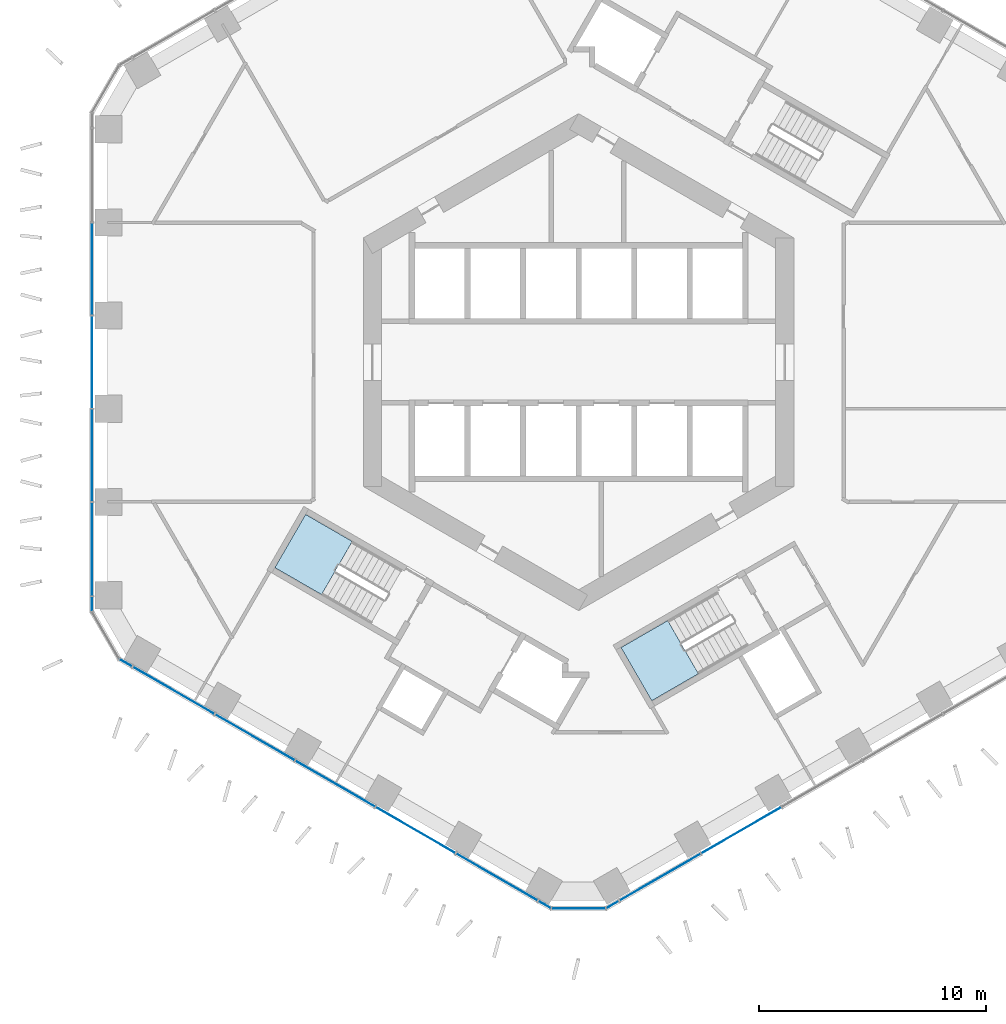
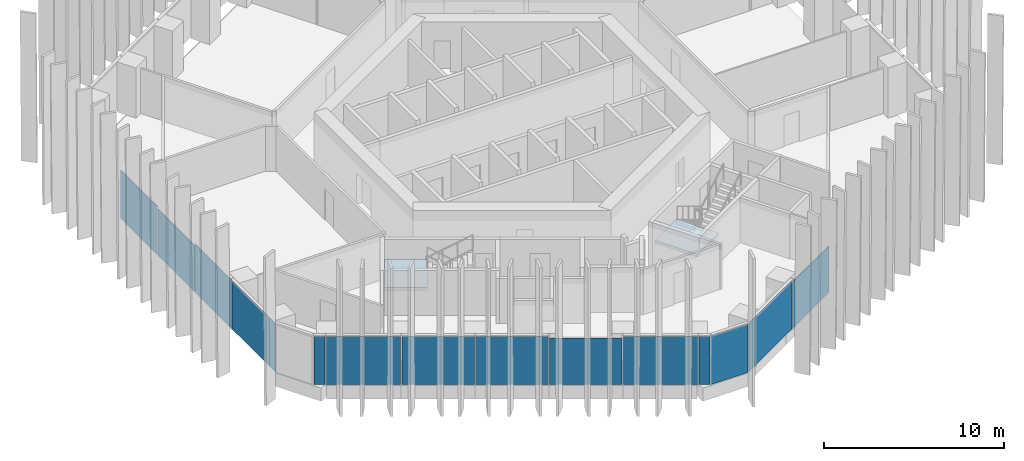
# One storey, part 8 of 18: 16 plates, 2 slabs, 7 elements without a shape of their own.
"""IFC4 building model written with IfcOpenShell, lengths in metres."""

import ifcopenshell
import ifcopenshell.guid

model = None  # the IFC model being written
_history = None  # IfcOwnerHistory: only IFC2X3 demands one
_inside = {}  # id of a spatial element -> (the spatial element, [elements in it])
_under = {}  # id of a project, library or spatial element -> (it, [spatial elements below it])
_declared = {}  # id of a project -> (the project, [libraries it declares])
_typed = {}  # id of a type object -> (the type object, [elements of that type])
_made_of = {}  # id of a material, layer set ... -> (it, [elements and type objects made of it])


def new_model(schema):
    """Start an empty IFC model of exactly this schema.

    Asked for "IFC4X3", IfcOpenShell would pick the latest addendum, in which some entities
    have other attributes; the version numbers below select the first issue.
    IFC2X3 requires an IfcOwnerHistory on every rooted entity: one is made here for all.
    """
    global model, _history
    if schema == "IFC4X3":
        model = ifcopenshell.file(schema_version=(4, 3, 0, 0))
    else:
        model = ifcopenshell.file(schema=schema)
    _inside.clear()
    _under.clear()
    _declared.clear()
    _typed.clear()
    _made_of.clear()
    _history = None
    if model.schema == "IFC2X3":
        org = make("IfcOrganization", Name="unknown")
        user = make(
            "IfcPersonAndOrganization",
            ThePerson=make("IfcPerson", FamilyName="unknown"),
            TheOrganization=org,
        )
        app = make(
            "IfcApplication",
            ApplicationDeveloper=org,
            Version="unknown",
            ApplicationFullName="unknown",
            ApplicationIdentifier="unknown",
        )
        _history = make(
            "IfcOwnerHistory",
            OwningUser=user,
            OwningApplication=app,
            ChangeAction="ADDED",
            CreationDate=0,
        )
    return model


def make(cls, **values):
    """One entity of the class cls with the attributes given. An attribute that is None is left unset."""
    return model.create_entity(
        cls, **{name: value for name, value in values.items() if value is not None}
    )


def rooted(cls, **values):
    """An entity with a GlobalId (a new one), such as an element, a storey or a relation."""
    return make(cls, GlobalId=ifcopenshell.guid.new(), OwnerHistory=_history, **values)


def si_unit(unit_type, name, prefix=None):
    """IfcSIUnit, for example si_unit("LENGTHUNIT", "METRE", prefix="MILLI")."""
    return make("IfcSIUnit", UnitType=unit_type, Prefix=prefix, Name=name)


def assignment(units):
    """IfcUnitAssignment: the units of a project."""
    return None if units is None else make("IfcUnitAssignment", Units=units)


def point(xyz):
    """IfcCartesianPoint."""
    return None if xyz is None else make("IfcCartesianPoint", Coordinates=xyz)


def direction(xyz):
    """IfcDirection."""
    return None if xyz is None else make("IfcDirection", DirectionRatios=xyz)


def frame(location, z_axis=None, x_axis=None):
    """IfcAxis2Placement3D, a coordinate frame: its origin and axes. An axis left out is left unset."""
    return make(
        "IfcAxis2Placement3D",
        Location=point(location),
        Axis=direction(z_axis),
        RefDirection=direction(x_axis),
    )


def frame_2d(location, x_axis=None):
    """IfcAxis2Placement2D, a coordinate frame in the plane: its origin and x axis."""
    return make(
        "IfcAxis2Placement2D", Location=point(location), RefDirection=direction(x_axis)
    )


def origin():
    """The frame at (0, 0, 0) with its axes left unset."""
    return frame((0.0, 0.0, 0.0))


def origin_2d():
    """The frame at (0, 0) in the plane with its x axis left unset."""
    return frame_2d((0.0, 0.0))


def place(relative_to, where):
    """IfcLocalPlacement: puts the frame where relative to a parent placement (None: the world)."""
    return make(
        "IfcLocalPlacement", PlacementRelTo=relative_to, RelativePlacement=where
    )


def context(
    kind, dimensions, precision=None, world=None, true_north=None, identifier=None
):
    """IfcGeometricRepresentationContext, for example the 3D "Model" context."""
    return make(
        "IfcGeometricRepresentationContext",
        ContextIdentifier=identifier,
        ContextType=kind,
        CoordinateSpaceDimension=dimensions,
        Precision=precision,
        WorldCoordinateSystem=world,
        TrueNorth=true_north,
    )


def subcontext(parent, identifier, kind, view, scale=None):
    """IfcGeometricRepresentationSubContext, for example "Body" below "Model"."""
    return make(
        "IfcGeometricRepresentationSubContext",
        ContextIdentifier=identifier,
        ContextType=kind,
        ParentContext=parent,
        TargetScale=scale,
        TargetView=view,
    )


def project(units=None, contexts=None):
    """IfcProject with its units and contexts."""
    return rooted(
        "IfcProject",
        Name="project",
        RepresentationContexts=contexts,
        UnitsInContext=assignment(units),
    )


def spatial(cls, under=None, at=None, **own):
    """A site, building, storey or space (cls), placed at a placement, below another one or the project."""
    s = rooted(cls, ObjectPlacement=at, **own)
    if under is not None:
        _under.setdefault(under.id(), (under, []))[1].append(s)
    return s


def polyline(points):
    """IfcPolyline through the points."""
    return make("IfcPolyline", Points=[point(p) for p in points])


def profile(cls, at=None, kind="AREA", **sizes):
    """A parametric profile (cls). Its sizes go by their IFC names, for example OverallWidth=200.0."""
    return make(cls, ProfileType=kind, Position=at, **sizes)


def rectangle(**sizes):
    """IfcRectangleProfileDef."""
    return profile("IfcRectangleProfileDef", **sizes)


def outline(outer, holes=None, kind="AREA"):
    """IfcArbitraryClosedProfileDef: a profile drawn as a closed curve; with holes, ...WithVoids."""
    if holes is None:
        return make("IfcArbitraryClosedProfileDef", ProfileType=kind, OuterCurve=outer)
    return make(
        "IfcArbitraryProfileDefWithVoids",
        ProfileType=kind,
        OuterCurve=outer,
        InnerCurves=holes,
    )


def extrude(swept, where, along, depth):
    """IfcExtrudedAreaSolid: the profile swept, set in the frame where, extruded along a direction by depth."""
    return make(
        "IfcExtrudedAreaSolid",
        SweptArea=swept,
        Position=where,
        ExtrudedDirection=direction(along),
        Depth=depth,
    )


def shape(context_of_items, identifier, shape_type, items):
    """IfcShapeRepresentation: the items that make up one representation, for example the "Body"."""
    return make(
        "IfcShapeRepresentation",
        ContextOfItems=context_of_items,
        RepresentationIdentifier=identifier,
        RepresentationType=shape_type,
        Items=items,
    )


def material(Name=None, Category=None):
    """IfcMaterial."""
    return make("IfcMaterial", Name=Name, Category=Category)


def layer(
    of_material, thickness, ventilated=None, Name=None, Category=None, Priority=None
):
    """IfcMaterialLayer: one layer of a wall or slab, of a material (None: an air gap)."""
    return make(
        "IfcMaterialLayer",
        Material=of_material,
        LayerThickness=thickness,
        IsVentilated=ventilated,
        Name=Name,
        Category=Category,
        Priority=Priority,
    )


def layer_set(layers, Name=None):
    """IfcMaterialLayerSet."""
    return make("IfcMaterialLayerSet", MaterialLayers=layers, LayerSetName=Name)


def made_of(thing, what):
    """Note that an element or type object is made of a material, layer set ...; save() writes the relation."""
    if what is not None:
        _made_of.setdefault(what.id(), (what, []))[1].append(thing)
    return thing


def type_object(cls, material=None, **own):
    """A type object (cls), such as IfcWallType, which elements share."""
    return made_of(rooted(cls, **own), material)


def element(
    cls,
    number,
    at=None,
    inside=None,
    cuts=None,
    type_object=None,
    material=None,
    context=None,
    identifier="Body",
    shape_type=None,
    held_by="IfcProductDefinitionShape",
    body=None,
    shapes=None,
    **own,
):
    """One element of the class cls, such as IfcWall. Its Tag is "e" and its number.

    at: its placement. inside: the storey or other place that contains it. cuts: it is an
    opening in that element (IfcRelVoidsElement). A single representation is given by context,
    identifier, shape_type and body (its items); several are given by shapes. held_by: the class
    of the entity that holds the representations. save() writes the other relations.
    """
    e = rooted(cls, Tag="e%d" % number, ObjectPlacement=at, **own)
    if body is not None:
        shapes = [shape(context, identifier, shape_type, body)]
    if shapes is not None:
        e.Representation = make(held_by, Representations=shapes)
    if inside is not None:
        _inside.setdefault(inside.id(), (inside, []))[1].append(e)
    if cuts is not None:
        rooted(
            "IfcRelVoidsElement", RelatingBuildingElement=cuts, RelatedOpeningElement=e
        )
    if type_object is not None:
        _typed.setdefault(type_object.id(), (type_object, []))[1].append(e)
    return made_of(e, material)


def aggregate(whole, parts):
    """IfcRelAggregates: a whole, such as a stair, and the parts it consists of."""
    return rooted("IfcRelAggregates", RelatingObject=whole, RelatedObjects=parts)


def save(model, path):
    """Write the relations noted so far, then the file.

    IfcRelAggregates (storeys below a building ...), IfcRelContainedInSpatialStructure (elements
    in a storey), IfcRelDefinesByType, IfcRelAssociatesMaterial and IfcRelDeclares: one each for
    every whole, place, type object, material and project.
    """
    for whole, parts in _under.values():
        aggregate(whole, parts)
    for where, things in _inside.values():
        rooted(
            "IfcRelContainedInSpatialStructure",
            RelatedElements=things,
            RelatingStructure=where,
        )
    for kind, things in _typed.values():
        rooted("IfcRelDefinesByType", RelatedObjects=things, RelatingType=kind)
    for what, things in _made_of.values():
        rooted("IfcRelAssociatesMaterial", RelatedObjects=things, RelatingMaterial=what)
    for by, libraries in _declared.values():
        rooted("IfcRelDeclares", RelatingContext=by, RelatedDefinitions=libraries)
    model.write(path)


model = new_model("IFC4")

# Units and contexts
model_context = context("Model", 3, precision=1e-05, world=origin(), true_north=direction((0.0, 1.0)))
body_context = subcontext(model_context, "Body", "Model", "MODEL_VIEW")
ifc_project = project(units=[si_unit("LENGTHUNIT", "METRE"), si_unit("AREAUNIT", "SQUARE_METRE"), si_unit("VOLUMEUNIT", "CUBIC_METRE"), si_unit("PLANEANGLEUNIT", "RADIAN"), si_unit("MASSUNIT", "GRAM", prefix="KILO")], contexts=[model_context])

# Site, building, storey
site_placement = place(None, origin())
site = spatial("IfcSite", under=ifc_project, at=site_placement, CompositionType="ELEMENT")
building_placement = place(site_placement, origin())
building = spatial("IfcBuilding", under=site, at=building_placement, Name="Ayvan Gate Tower", CompositionType="ELEMENT")
storey_placement = place(building_placement, frame((0.0, 0.0, 25.5)))
storey = spatial("IfcBuildingStorey", under=building, at=storey_placement, Name="L05", CompositionType="ELEMENT", Elevation=25.5)

# Stair, slab
ifc_material_1 = material(Name="Concrete C40/50", Category="concrete")
stair_type = type_object("IfcStairType", Name="ST-EXIT", PredefinedType="HALF_TURN_STAIR", material=ifc_material_1)
stair_1_placement = place(storey_placement, origin())
stair_1 = element("IfcStair", 1, at=stair_1_placement, inside=storey, type_object=stair_type, Name="L05 Exit Stair S2", PredefinedType="HALF_TURN_STAIR")
ifc_layer_1 = layer(ifc_material_1, 0.199951171875)
ifc_layer_set_1 = layer_set([ifc_layer_1], Name="Concrete C40/50")
slab_type = type_object("IfcSlabType", Name="SL-LANDING-200", PredefinedType="LANDING", material=ifc_layer_set_1)
slab_1_placement = place(storey_placement, frame((0.0, 0.0, 1.5)))
slab_1 = element("IfcSlab", 2, at=slab_1_placement, type_object=slab_type, Name="STS2 landing 1", PredefinedType="LANDING", context=body_context, shape_type="SweptSolid", body=[
    extrude(outline(polyline([(-9.988525390625, -7.91064453125), (-12.049560546875, -6.720458984375), (-13.404541015625, -9.0673828125), (-11.343505859375, -10.257568359375), (-9.988525390625, -7.91064453125)])), origin(), (0.0, 0.0, 1.0), 0.199951171875),
])
aggregate(stair_1, [slab_1])

stair_2_placement = place(storey_placement, origin())
stair_2 = element("IfcStair", 3, at=stair_2_placement, inside=storey, type_object=stair_type, Name="L05 Exit Stair S3", PredefinedType="HALF_TURN_STAIR")
slab_2_placement = place(storey_placement, frame((0.0, 0.0, 1.5)))
slab_2 = element("IfcSlab", 4, at=slab_2_placement, type_object=slab_type, Name="STS3 landing 1", PredefinedType="LANDING", context=body_context, shape_type="SweptSolid", body=[
    extrude(outline(polyline([(3.93505859375, -11.405517578125), (1.873779296875, -12.595458984375), (3.228759765625, -14.9423828125), (5.2900390625, -13.75244140625), (3.93505859375, -11.405517578125)])), origin(), (0.0, 0.0, 1.0), 0.199951171875),
])
aggregate(stair_2, [slab_2])

# Curtain wall, plates
ifc_material_2 = material(Name="Bronze anodised aluminium", Category="aluminium")
ifc_layer_2 = layer(ifc_material_2, 0.199951171875)
ifc_layer_set_2 = layer_set([ifc_layer_2], Name="Bronze anodised aluminium")
curtain_wall_type_1 = type_object("IfcCurtainWallType", Name="Stick curtain wall CW-1", PredefinedType="NOTDEFINED", material=ifc_layer_set_2)
curtain_wall_1_placement = place(storey_placement, origin())
curtain_wall_1 = element("IfcCurtainWall", 5, at=curtain_wall_1_placement, inside=storey, type_object=curtain_wall_type_1, Name="Stick curtain wall CW-1 L05", PredefinedType="NOTDEFINED")
ifc_material_3 = material(Name="Clear low-iron laminated glass", Category="glass")
ifc_layer_3 = layer(ifc_material_3, 0.028076171875)
ifc_layer_set_3 = layer_set([ifc_layer_3], Name="Clear low-iron laminated glass")
plate_type_1 = type_object("IfcPlateType", Name="Stick curtain wall CW-1 glass panel", PredefinedType="CURTAIN_PANEL", material=ifc_layer_set_3)
plate_1_placement = place(storey_placement, frame((-21.484619140625, 4.114013671875, 0.0), z_axis=(0.0, 0.0, 1.0), x_axis=(0.0, -1.0, 0.0)))
plate_1 = element("IfcPlate", 6, at=plate_1_placement, type_object=plate_type_1, Name="CW-1 glass panel 2", PredefinedType="CURTAIN_PANEL", context=body_context, shape_type="SweptSolid", body=[
    extrude(rectangle(XDim=4.053955078125, YDim=0.028076171875, at=origin_2d()), origin(), (0.0, 0.0, 1.0), 3.280029296875),
])
plate_2_placement = place(storey_placement, frame((-21.484619140625, 0.0, 0.0), z_axis=(0.0, 0.0, 1.0), x_axis=(0.0, -1.0, 0.0)))
plate_2 = element("IfcPlate", 7, at=plate_2_placement, type_object=plate_type_1, Name="CW-1 glass panel 3", PredefinedType="CURTAIN_PANEL", context=body_context, shape_type="SweptSolid", body=[
    extrude(rectangle(XDim=4.053955078125, YDim=0.028076171875, at=origin_2d()), origin(), (0.0, 0.0, 1.0), 3.14990234375),
])
plate_3_placement = place(storey_placement, frame((-21.484619140625, -4.114013671875, 0.0), z_axis=(0.0, 0.0, 1.0), x_axis=(0.0, -1.0, 0.0)))
plate_3 = element("IfcPlate", 8, at=plate_3_placement, type_object=plate_type_1, Name="CW-1 glass panel 4", PredefinedType="CURTAIN_PANEL", context=body_context, shape_type="SweptSolid", body=[
    extrude(rectangle(XDim=4.053955078125, YDim=0.028076171875, at=origin_2d()), origin(), (0.0, 0.0, 1.0), 3.280029296875),
])
plate_4_placement = place(storey_placement, frame((-21.484619140625, -8.265380859375, 0.0), z_axis=(0.0, 0.0, 1.0), x_axis=(0.0, -1.0, 0.0)))
plate_4 = element("IfcPlate", 9, at=plate_4_placement, type_object=plate_type_1, Name="CW-1 glass panel 5", PredefinedType="CURTAIN_PANEL", context=body_context, shape_type="SweptSolid", body=[
    extrude(rectangle(XDim=4.129150390625, YDim=0.028076171875, at=origin_2d()), origin(), (0.0, 0.0, 1.0), 3.280029296875),
])
aggregate(curtain_wall_1, [plate_1, plate_2, plate_3, plate_4])

curtain_wall_2_placement = place(storey_placement, origin())
curtain_wall_2 = element("IfcCurtainWall", 10, at=curtain_wall_2_placement, inside=storey, type_object=curtain_wall_type_1, Name="Stick curtain wall CW-1 L05", PredefinedType="NOTDEFINED")
plate_5_placement = place(storey_placement, frame((-17.88720703125, -14.481201171875, 0.0), z_axis=(0.0, 0.0, 1.0), x_axis=(0.866025403784, -0.5, 0.0)))
plate_5 = element("IfcPlate", 11, at=plate_5_placement, type_object=plate_type_1, Name="CW-1 glass panel 1", PredefinedType="CURTAIN_PANEL", context=body_context, shape_type="SweptSolid", body=[
    extrude(rectangle(XDim=4.159912109375, YDim=0.028076171875, at=origin_2d()), origin(), (0.0, 0.0, 1.0), 3.280029296875),
])
plate_6_placement = place(storey_placement, frame((-14.287353515625, -16.559326171875, 0.0), z_axis=(0.0, 0.0, 1.0), x_axis=(0.866025403784, -0.5, 0.0)))
plate_6 = element("IfcPlate", 12, at=plate_6_placement, type_object=plate_type_1, Name="CW-1 glass panel 2", PredefinedType="CURTAIN_PANEL", context=body_context, shape_type="SweptSolid", body=[
    extrude(rectangle(XDim=4.032958984375, YDim=0.028076171875, at=origin_2d()), origin(), (0.0, 0.0, 1.0), 3.280029296875),
])
plate_7_placement = place(storey_placement, frame((-10.742431640625, -18.606201171875, 0.0), z_axis=(0.0, 0.0, 1.0), x_axis=(0.866025403784, -0.5, 0.0)))
plate_7 = element("IfcPlate", 13, at=plate_7_placement, type_object=plate_type_1, Name="CW-1 glass panel 3", PredefinedType="CURTAIN_PANEL", context=body_context, shape_type="SweptSolid", body=[
    extrude(rectangle(XDim=4.033935546875, YDim=0.028076171875, at=origin_2d()), origin(), (0.0, 0.0, 1.0), 3.280029296875),
])
plate_8_placement = place(storey_placement, frame((-7.197265625, -20.65283203125, 0.0), z_axis=(0.0, 0.0, 1.0), x_axis=(0.866025403784, -0.5, 0.0)))
plate_8 = element("IfcPlate", 14, at=plate_8_placement, type_object=plate_type_1, Name="CW-1 glass panel 4", PredefinedType="CURTAIN_PANEL", context=body_context, shape_type="SweptSolid", body=[
    extrude(rectangle(XDim=4.032958984375, YDim=0.028076171875, at=origin_2d()), origin(), (0.0, 0.0, 1.0), 3.14990234375),
])
plate_9_placement = place(storey_placement, frame((-3.59765625, -22.731201171875, 0.0), z_axis=(0.0, 0.0, 1.0), x_axis=(0.866025403784, -0.5, 0.0)))
plate_9 = element("IfcPlate", 15, at=plate_9_placement, type_object=plate_type_1, Name="CW-1 glass panel 5", PredefinedType="CURTAIN_PANEL", context=body_context, shape_type="SweptSolid", body=[
    extrude(rectangle(XDim=4.16015625, YDim=0.028076171875, at=origin_2d()), origin(), (0.0, 0.0, 1.0), 3.280029296875),
])
aggregate(curtain_wall_2, [plate_5, plate_6, plate_7, plate_8, plate_9])

curtain_wall_3_placement = place(storey_placement, origin())
curtain_wall_3 = element("IfcCurtainWall", 16, at=curtain_wall_3_placement, inside=storey, type_object=curtain_wall_type_1, Name="Stick curtain wall CW-1 L05", PredefinedType="NOTDEFINED")
plate_10_placement = place(storey_placement, frame((3.583984375, -22.739013671875, 0.0), z_axis=(0.0, 0.0, 1.0), x_axis=(0.866025403784, 0.5, 0.0)))
plate_10 = element("IfcPlate", 17, at=plate_10_placement, type_object=plate_type_1, Name="CW-1 glass panel 1", PredefinedType="CURTAIN_PANEL", context=body_context, shape_type="SweptSolid", body=[
    extrude(rectangle(XDim=4.12890625, YDim=0.028076171875, at=origin_2d()), origin(), (0.0, 0.0, 1.0), 3.280029296875),
])
plate_11_placement = place(storey_placement, frame((7.179443359375, -20.663330078125, 0.0), z_axis=(0.0, 0.0, 1.0), x_axis=(0.866025403784, 0.5, 0.0)))
plate_11 = element("IfcPlate", 18, at=plate_11_placement, type_object=plate_type_1, Name="CW-1 glass panel 2", PredefinedType="CURTAIN_PANEL", context=body_context, shape_type="SweptSolid", body=[
    extrude(rectangle(XDim=4.053955078125, YDim=0.028076171875, at=origin_2d()), origin(), (0.0, 0.0, 1.0), 3.14990234375),
])
aggregate(curtain_wall_3, [plate_10, plate_11])

ifc_layer_4 = layer(ifc_material_2, 0.199951171875)
ifc_layer_set_4 = layer_set([ifc_layer_4], Name="Bronze anodised aluminium")
curtain_wall_type_2 = type_object("IfcCurtainWallType", Name="Stick curtain wall CW-6", PredefinedType="NOTDEFINED", material=ifc_layer_set_4)
curtain_wall_4_placement = place(storey_placement, origin())
curtain_wall_4 = element("IfcCurtainWall", 19, at=curtain_wall_4_placement, inside=storey, type_object=curtain_wall_type_2, Name="Stick curtain wall CW-6 L05", PredefinedType="NOTDEFINED")
ifc_layer_5 = layer(ifc_material_3, 0.028076171875)
ifc_layer_set_5 = layer_set([ifc_layer_5], Name="Clear low-iron laminated glass")
plate_type_2 = type_object("IfcPlateType", Name="Stick curtain wall CW-6 glass panel", PredefinedType="CURTAIN_PANEL", material=ifc_layer_set_5)
plate_12_placement = place(storey_placement, frame((-21.484619140625, -10.672607421875, 0.0), z_axis=(0.0, 0.0, 1.0), x_axis=(0.0, -1.0, 0.0)))
plate_12 = element("IfcPlate", 20, at=plate_12_placement, type_object=plate_type_2, Name="CW-6 glass panel 1", PredefinedType="CURTAIN_PANEL", context=body_context, shape_type="SweptSolid", body=[
    extrude(rectangle(XDim=0.625, YDim=0.028076171875, at=origin_2d()), origin(), (0.0, 0.0, 1.0), 3.280029296875),
])
plate_13_placement = place(storey_placement, frame((-19.985107421875, -13.27001953125, 0.0), z_axis=(0.0, 0.0, 1.0), x_axis=(0.866025403784, -0.5, 0.0)))
plate_13 = element("IfcPlate", 21, at=plate_13_placement, type_object=plate_type_2, Name="CW-6 glass panel 3", PredefinedType="CURTAIN_PANEL", context=body_context, shape_type="SweptSolid", body=[
    extrude(rectangle(XDim=0.625, YDim=0.028076171875, at=origin_2d()), origin(), (0.0, 0.0, 1.0), 3.280029296875),
])
aggregate(curtain_wall_4, [plate_12, plate_13])

curtain_wall_5_placement = place(storey_placement, origin())
curtain_wall_5 = element("IfcCurtainWall", 22, at=curtain_wall_5_placement, inside=storey, type_object=curtain_wall_type_2, Name="Stick curtain wall CW-6 L05", PredefinedType="NOTDEFINED")
plate_14_placement = place(storey_placement, frame((-1.49951171875, -23.942626953125, 0.0), z_axis=(0.0, 0.0, 1.0), x_axis=(0.866025403784, -0.5, 0.0)))
plate_14 = element("IfcPlate", 23, at=plate_14_placement, type_object=plate_type_2, Name="CW-6 glass panel 1", PredefinedType="CURTAIN_PANEL", context=body_context, shape_type="SweptSolid", body=[
    extrude(rectangle(XDim=0.625, YDim=0.028076171875, at=origin_2d()), origin(), (0.0, 0.0, 1.0), 3.280029296875),
])
plate_15_placement = place(storey_placement, frame((0.0, -24.111328125, 0.0), z_axis=(0.0, 0.0, 1.0), x_axis=(1.0, 0.0, 0.0)))
plate_15 = element("IfcPlate", 24, at=plate_15_placement, type_object=plate_type_2, Name="CW-6 glass panel 2", PredefinedType="CURTAIN_PANEL", context=body_context, shape_type="SweptSolid", body=[
    extrude(rectangle(XDim=2.364501953125, YDim=0.028076171875, at=origin_2d()), origin(), (0.0, 0.0, 1.0), 3.280029296875),
])
plate_16_placement = place(storey_placement, frame((1.49951171875, -23.942626953125, 0.0), z_axis=(0.0, 0.0, 1.0), x_axis=(0.866025403784, 0.5, 0.0)))
plate_16 = element("IfcPlate", 25, at=plate_16_placement, type_object=plate_type_2, Name="CW-6 glass panel 3", PredefinedType="CURTAIN_PANEL", context=body_context, shape_type="SweptSolid", body=[
    extrude(rectangle(XDim=0.625, YDim=0.028076171875, at=origin_2d()), origin(), (0.0, 0.0, 1.0), 3.280029296875),
])
aggregate(curtain_wall_5, [plate_14, plate_15, plate_16])

save(model, "model.ifc")
